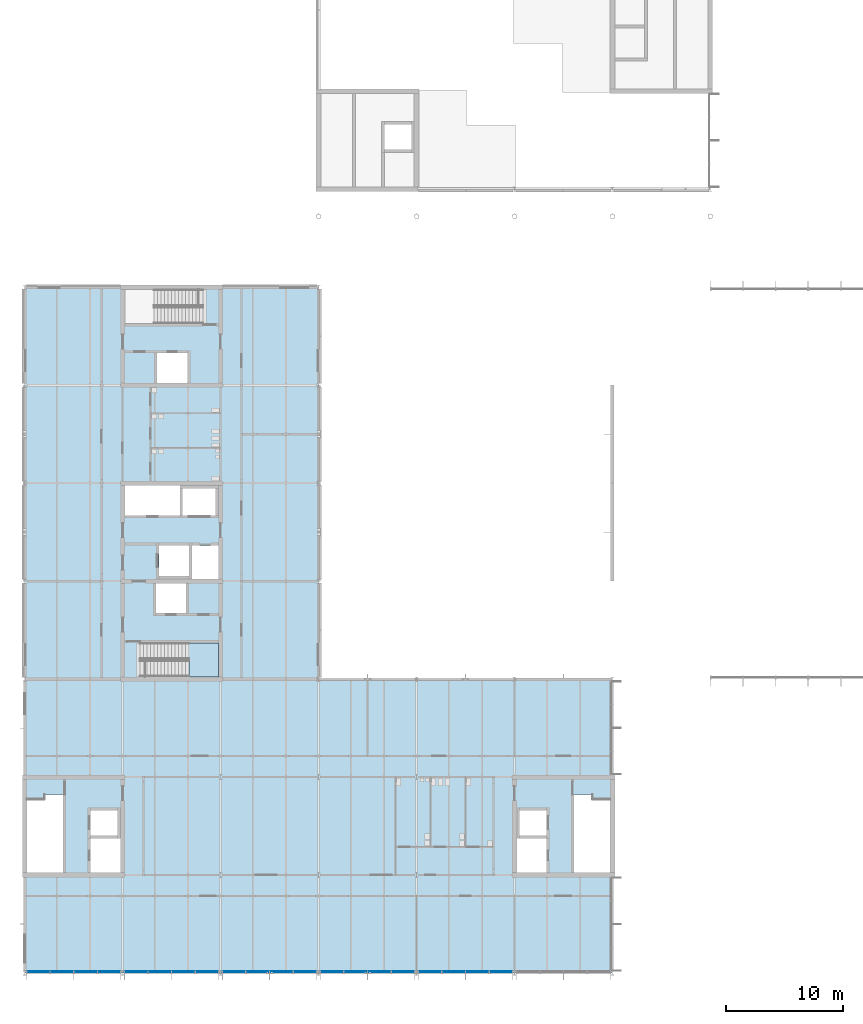
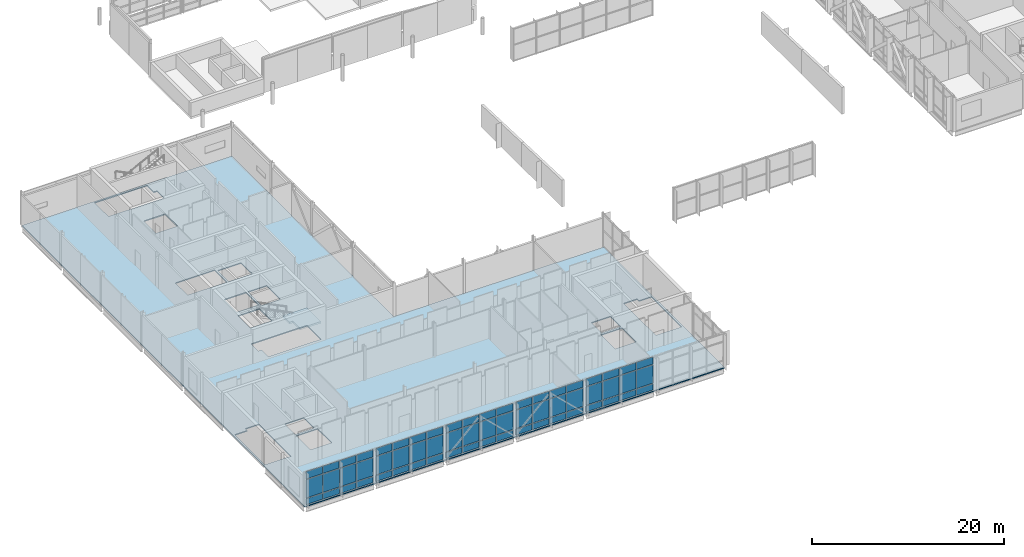
# One storey, part 31 of 72: 60 plates, 2 slabs, 6 elements without a shape of their own.
"""IFC4 building model written with IfcOpenShell, lengths in metres."""

from ifc_helpers import new_model, si_unit, direction, frame, origin, origin_2d, place, context, subcontext, project, spatial, polyline, rectangle, outline, extrude, material, layer, layer_set, type_object, element, aggregate, save


model = new_model("IFC4")

# Units and contexts
model_context = context("Model", 3, precision=1e-05, world=origin(), true_north=direction((0.0, 1.0)))
body_context = subcontext(model_context, "Body", "Model", "MODEL_VIEW")
ifc_project = project(units=[si_unit("LENGTHUNIT", "METRE"), si_unit("AREAUNIT", "SQUARE_METRE"), si_unit("VOLUMEUNIT", "CUBIC_METRE"), si_unit("PLANEANGLEUNIT", "RADIAN"), si_unit("MASSUNIT", "GRAM", prefix="KILO")], contexts=[model_context])

# Site, building, storey
site_placement = place(None, origin())
site = spatial("IfcSite", under=ifc_project, at=site_placement, CompositionType="ELEMENT")
building_placement = place(site_placement, origin())
building = spatial("IfcBuilding", under=site, at=building_placement, Name="Hlaing Beacon Police Headquarters", CompositionType="ELEMENT")
storey_placement = place(building_placement, frame((0.0, 0.0, 14.39990234375)))
storey = spatial("IfcBuildingStorey", under=building, at=storey_placement, Name="L03", CompositionType="ELEMENT", Elevation=14.39990234375)

# Curtain wall, plates
ifc_material_1 = material(Name="Aluminium frame with solar control glazing", Category="aluminium")
curtain_wall_type_1 = type_object("IfcCurtainWallType", Name="Unitised curtain wall 8.12 x 4.37", PredefinedType="NOTDEFINED", material=ifc_material_1)
curtain_wall_1_placement = place(storey_placement, origin())
curtain_wall_1 = element("IfcCurtainWall", 1, at=curtain_wall_1_placement, inside=storey, type_object=curtain_wall_type_1, Name="ENV-CW-L03-S015", PredefinedType="NOTDEFINED")
ifc_material_2 = material(Name="Solar control glazing", Category="glass")
ifc_layer_1 = layer(ifc_material_2, 0.02392578125)
ifc_layer_set_1 = layer_set([ifc_layer_1], Name="Solar control glazing")
plate_type_1 = type_object("IfcPlateType", Name="Clear glazing panel 24", PredefinedType="CURTAIN_PANEL", material=ifc_layer_set_1)
plate_1_placement = place(storey_placement, frame((9.580322265625, 8.5, 3.35009765625), z_axis=(0.0, 0.0, 1.0), x_axis=(1.0, 0.0, 0.0)))
plate_1 = element("IfcPlate", 2, at=plate_1_placement, type_object=plate_type_1, Name="CW-L03-S015 panel 1.3", PredefinedType="CURTAIN_PANEL", context=body_context, shape_type="SweptSolid", body=[
    extrude(rectangle(XDim=1.940673828125, YDim=0.02392578125, at=origin_2d()), origin(), (0.0, 0.0, 1.0), 0.919921875),
])
plate_2_placement = place(storey_placement, frame((11.59619140625, 8.5, 3.35009765625), z_axis=(0.0, 0.0, 1.0), x_axis=(1.0, 0.0, 0.0)))
plate_2 = element("IfcPlate", 3, at=plate_2_placement, type_object=plate_type_1, Name="CW-L03-S015 panel 2.3", PredefinedType="CURTAIN_PANEL", context=body_context, shape_type="SweptSolid", body=[
    extrude(rectangle(XDim=1.970703125, YDim=0.02392578125, at=origin_2d()), origin(), (0.0, 0.0, 1.0), 0.919921875),
])
plate_3_placement = place(storey_placement, frame((13.626953125, 8.5, 3.35009765625), z_axis=(0.0, 0.0, 1.0), x_axis=(1.0, 0.0, 0.0)))
plate_3 = element("IfcPlate", 4, at=plate_3_placement, type_object=plate_type_1, Name="CW-L03-S015 panel 3.3", PredefinedType="CURTAIN_PANEL", context=body_context, shape_type="SweptSolid", body=[
    extrude(rectangle(XDim=1.970703125, YDim=0.02392578125, at=origin_2d()), origin(), (0.0, 0.0, 1.0), 0.919921875),
])
plate_4_placement = place(storey_placement, frame((15.642578125, 8.5, 3.35009765625), z_axis=(0.0, 0.0, 1.0), x_axis=(1.0, 0.0, 0.0)))
plate_4 = element("IfcPlate", 5, at=plate_4_placement, type_object=plate_type_1, Name="CW-L03-S015 panel 4.3", PredefinedType="CURTAIN_PANEL", context=body_context, shape_type="SweptSolid", body=[
    extrude(rectangle(XDim=1.940673828125, YDim=0.02392578125, at=origin_2d()), origin(), (0.0, 0.0, 1.0), 0.919921875),
])

ifc_material_3 = material(Name="Aluminium frame with solar control glazing", Category="aluminium")
curtain_wall_type_2 = type_object("IfcCurtainWallType", Name="Unitised curtain wall 8.14 x 4.37", PredefinedType="NOTDEFINED", material=ifc_material_3)
curtain_wall_2_placement = place(storey_placement, origin())
curtain_wall_2 = element("IfcCurtainWall", 6, at=curtain_wall_2_placement, inside=storey, type_object=curtain_wall_type_2, Name="ENV-CW-L03-S016", PredefinedType="NOTDEFINED")
plate_5_placement = place(storey_placement, frame((17.960205078125, 8.5, 3.35009765625), z_axis=(0.0, 0.0, 1.0), x_axis=(1.0, 0.0, 0.0)))
plate_5 = element("IfcPlate", 7, at=plate_5_placement, type_object=plate_type_1, Name="CW-L03-S016 panel 1.3", PredefinedType="CURTAIN_PANEL", context=body_context, shape_type="SweptSolid", body=[
    extrude(rectangle(XDim=1.9462890625, YDim=0.02392578125, at=origin_2d()), origin(), (0.0, 0.0, 1.0), 0.919921875),
])
plate_6_placement = place(storey_placement, frame((19.981201171875, 8.5, 3.35009765625), z_axis=(0.0, 0.0, 1.0), x_axis=(1.0, 0.0, 0.0)))
plate_6 = element("IfcPlate", 8, at=plate_6_placement, type_object=plate_type_1, Name="CW-L03-S016 panel 2.3", PredefinedType="CURTAIN_PANEL", context=body_context, shape_type="SweptSolid", body=[
    extrude(rectangle(XDim=1.97607421875, YDim=0.02392578125, at=origin_2d()), origin(), (0.0, 0.0, 1.0), 0.919921875),
])
plate_7_placement = place(storey_placement, frame((22.017333984375, 8.5, 3.35009765625), z_axis=(0.0, 0.0, 1.0), x_axis=(1.0, 0.0, 0.0)))
plate_7 = element("IfcPlate", 9, at=plate_7_placement, type_object=plate_type_1, Name="CW-L03-S016 panel 3.3", PredefinedType="CURTAIN_PANEL", context=body_context, shape_type="SweptSolid", body=[
    extrude(rectangle(XDim=1.97607421875, YDim=0.02392578125, at=origin_2d()), origin(), (0.0, 0.0, 1.0), 0.919921875),
])
plate_8_placement = place(storey_placement, frame((24.03857421875, 8.5, 3.35009765625), z_axis=(0.0, 0.0, 1.0), x_axis=(1.0, 0.0, 0.0)))
plate_8 = element("IfcPlate", 10, at=plate_8_placement, type_object=plate_type_1, Name="CW-L03-S016 panel 4.3", PredefinedType="CURTAIN_PANEL", context=body_context, shape_type="SweptSolid", body=[
    extrude(rectangle(XDim=1.9462890625, YDim=0.02392578125, at=origin_2d()), origin(), (0.0, 0.0, 1.0), 0.919921875),
])

curtain_wall_3_placement = place(storey_placement, origin())
curtain_wall_3 = element("IfcCurtainWall", 11, at=curtain_wall_3_placement, inside=storey, type_object=curtain_wall_type_2, Name="ENV-CW-L03-S017", PredefinedType="NOTDEFINED")
plate_9_placement = place(storey_placement, frame((26.361328125, 8.5, 3.35009765625), z_axis=(0.0, 0.0, 1.0), x_axis=(1.0, 0.0, 0.0)))
plate_9 = element("IfcPlate", 12, at=plate_9_placement, type_object=plate_type_1, Name="CW-L03-S017 panel 1.3", PredefinedType="CURTAIN_PANEL", context=body_context, shape_type="SweptSolid", body=[
    extrude(rectangle(XDim=1.94580078125, YDim=0.02392578125, at=origin_2d()), origin(), (0.0, 0.0, 1.0), 0.919921875),
])
plate_10_placement = place(storey_placement, frame((28.382080078125, 8.5, 3.35009765625), z_axis=(0.0, 0.0, 1.0), x_axis=(1.0, 0.0, 0.0)))
plate_10 = element("IfcPlate", 13, at=plate_10_placement, type_object=plate_type_1, Name="CW-L03-S017 panel 2.3", PredefinedType="CURTAIN_PANEL", context=body_context, shape_type="SweptSolid", body=[
    extrude(rectangle(XDim=1.975830078125, YDim=0.02392578125, at=origin_2d()), origin(), (0.0, 0.0, 1.0), 0.919921875),
])
plate_11_placement = place(storey_placement, frame((30.41796875, 8.5, 3.35009765625), z_axis=(0.0, 0.0, 1.0), x_axis=(1.0, 0.0, 0.0)))
plate_11 = element("IfcPlate", 14, at=plate_11_placement, type_object=plate_type_1, Name="CW-L03-S017 panel 3.3", PredefinedType="CURTAIN_PANEL", context=body_context, shape_type="SweptSolid", body=[
    extrude(rectangle(XDim=1.975830078125, YDim=0.02392578125, at=origin_2d()), origin(), (0.0, 0.0, 1.0), 0.919921875),
])
plate_12_placement = place(storey_placement, frame((32.438720703125, 8.5, 3.35009765625), z_axis=(0.0, 0.0, 1.0), x_axis=(1.0, 0.0, 0.0)))
plate_12 = element("IfcPlate", 15, at=plate_12_placement, type_object=plate_type_1, Name="CW-L03-S017 panel 4.3", PredefinedType="CURTAIN_PANEL", context=body_context, shape_type="SweptSolid", body=[
    extrude(rectangle(XDim=1.94580078125, YDim=0.02392578125, at=origin_2d()), origin(), (0.0, 0.0, 1.0), 0.919921875),
])

curtain_wall_4_placement = place(storey_placement, origin())
curtain_wall_4 = element("IfcCurtainWall", 16, at=curtain_wall_4_placement, inside=storey, type_object=curtain_wall_type_2, Name="ENV-CW-L03-S018", PredefinedType="NOTDEFINED")
plate_13_placement = place(storey_placement, frame((34.76123046875, 8.5, 3.35009765625), z_axis=(0.0, 0.0, 1.0), x_axis=(1.0, 0.0, 0.0)))
plate_13 = element("IfcPlate", 17, at=plate_13_placement, type_object=plate_type_1, Name="CW-L03-S018 panel 1.3", PredefinedType="CURTAIN_PANEL", context=body_context, shape_type="SweptSolid", body=[
    extrude(rectangle(XDim=1.94580078125, YDim=0.02392578125, at=origin_2d()), origin(), (0.0, 0.0, 1.0), 0.919921875),
])
plate_14_placement = place(storey_placement, frame((36.781982421875, 8.5, 3.35009765625), z_axis=(0.0, 0.0, 1.0), x_axis=(1.0, 0.0, 0.0)))
plate_14 = element("IfcPlate", 18, at=plate_14_placement, type_object=plate_type_1, Name="CW-L03-S018 panel 2.3", PredefinedType="CURTAIN_PANEL", context=body_context, shape_type="SweptSolid", body=[
    extrude(rectangle(XDim=1.975830078125, YDim=0.02392578125, at=origin_2d()), origin(), (0.0, 0.0, 1.0), 0.919921875),
])
plate_15_placement = place(storey_placement, frame((38.81787109375, 8.5, 3.35009765625), z_axis=(0.0, 0.0, 1.0), x_axis=(1.0, 0.0, 0.0)))
plate_15 = element("IfcPlate", 19, at=plate_15_placement, type_object=plate_type_1, Name="CW-L03-S018 panel 3.3", PredefinedType="CURTAIN_PANEL", context=body_context, shape_type="SweptSolid", body=[
    extrude(rectangle(XDim=1.975830078125, YDim=0.02392578125, at=origin_2d()), origin(), (0.0, 0.0, 1.0), 0.919921875),
])
plate_16_placement = place(storey_placement, frame((40.8388671875, 8.5, 3.35009765625), z_axis=(0.0, 0.0, 1.0), x_axis=(1.0, 0.0, 0.0)))
plate_16 = element("IfcPlate", 20, at=plate_16_placement, type_object=plate_type_1, Name="CW-L03-S018 panel 4.3", PredefinedType="CURTAIN_PANEL", context=body_context, shape_type="SweptSolid", body=[
    extrude(rectangle(XDim=1.94580078125, YDim=0.02392578125, at=origin_2d()), origin(), (0.0, 0.0, 1.0), 0.919921875),
])

curtain_wall_5_placement = place(storey_placement, origin())
curtain_wall_5 = element("IfcCurtainWall", 21, at=curtain_wall_5_placement, inside=storey, type_object=curtain_wall_type_2, Name="ENV-CW-L03-S019", PredefinedType="NOTDEFINED")
plate_17_placement = place(storey_placement, frame((43.161376953125, 8.5, 3.35009765625), z_axis=(0.0, 0.0, 1.0), x_axis=(1.0, 0.0, 0.0)))
plate_17 = element("IfcPlate", 22, at=plate_17_placement, type_object=plate_type_1, Name="CW-L03-S019 panel 1.3", PredefinedType="CURTAIN_PANEL", context=body_context, shape_type="SweptSolid", body=[
    extrude(rectangle(XDim=1.9462890625, YDim=0.02392578125, at=origin_2d()), origin(), (0.0, 0.0, 1.0), 0.919921875),
])
plate_18_placement = place(storey_placement, frame((45.1826171875, 8.5, 3.35009765625), z_axis=(0.0, 0.0, 1.0), x_axis=(1.0, 0.0, 0.0)))
plate_18 = element("IfcPlate", 23, at=plate_18_placement, type_object=plate_type_1, Name="CW-L03-S019 panel 2.3", PredefinedType="CURTAIN_PANEL", context=body_context, shape_type="SweptSolid", body=[
    extrude(rectangle(XDim=1.97607421875, YDim=0.02392578125, at=origin_2d()), origin(), (0.0, 0.0, 1.0), 0.919921875),
])
plate_19_placement = place(storey_placement, frame((47.21875, 8.5, 3.35009765625), z_axis=(0.0, 0.0, 1.0), x_axis=(1.0, 0.0, 0.0)))
plate_19 = element("IfcPlate", 24, at=plate_19_placement, type_object=plate_type_1, Name="CW-L03-S019 panel 3.3", PredefinedType="CURTAIN_PANEL", context=body_context, shape_type="SweptSolid", body=[
    extrude(rectangle(XDim=1.97607421875, YDim=0.02392578125, at=origin_2d()), origin(), (0.0, 0.0, 1.0), 0.919921875),
])
plate_20_placement = place(storey_placement, frame((49.239990234375, 8.5, 3.35009765625), z_axis=(0.0, 0.0, 1.0), x_axis=(1.0, 0.0, 0.0)))
plate_20 = element("IfcPlate", 25, at=plate_20_placement, type_object=plate_type_1, Name="CW-L03-S019 panel 4.3", PredefinedType="CURTAIN_PANEL", context=body_context, shape_type="SweptSolid", body=[
    extrude(rectangle(XDim=1.9462890625, YDim=0.02392578125, at=origin_2d()), origin(), (0.0, 0.0, 1.0), 0.919921875),
])

# Plate
ifc_material_4 = material(Name="Solar control glazing", Category="glass")
ifc_layer_2 = layer(ifc_material_4, 0.0439453125)
ifc_layer_set_2 = layer_set([ifc_layer_2], Name="Solar control glazing")
plate_type_2 = type_object("IfcPlateType", Name="Clear glazing panel 44", PredefinedType="CURTAIN_PANEL", material=ifc_layer_set_2)
plate_21_placement = place(storey_placement, frame((9.580322265625, 8.5, 0.9501953125), z_axis=(0.0, 0.0, 1.0), x_axis=(1.0, 0.0, 0.0)))
plate_21 = element("IfcPlate", 26, at=plate_21_placement, type_object=plate_type_2, Name="CW-L03-S015 panel 1.2", PredefinedType="CURTAIN_PANEL", context=body_context, shape_type="SweptSolid", body=[
    extrude(rectangle(XDim=1.940673828125, YDim=0.0439453125, at=origin_2d()), origin(), (0.0, 0.0, 1.0), 2.300048828125),
])

plate_22_placement = place(storey_placement, frame((11.59619140625, 8.5, 0.9501953125), z_axis=(0.0, 0.0, 1.0), x_axis=(1.0, 0.0, 0.0)))
plate_22 = element("IfcPlate", 27, at=plate_22_placement, type_object=plate_type_2, Name="CW-L03-S015 panel 2.2", PredefinedType="CURTAIN_PANEL", context=body_context, shape_type="SweptSolid", body=[
    extrude(rectangle(XDim=1.970703125, YDim=0.0439453125, at=origin_2d()), origin(), (0.0, 0.0, 1.0), 2.300048828125),
])

plate_23_placement = place(storey_placement, frame((13.626953125, 8.5, 0.9501953125), z_axis=(0.0, 0.0, 1.0), x_axis=(1.0, 0.0, 0.0)))
plate_23 = element("IfcPlate", 28, at=plate_23_placement, type_object=plate_type_2, Name="CW-L03-S015 panel 3.2", PredefinedType="CURTAIN_PANEL", context=body_context, shape_type="SweptSolid", body=[
    extrude(rectangle(XDim=1.970703125, YDim=0.0439453125, at=origin_2d()), origin(), (0.0, 0.0, 1.0), 2.300048828125),
])

plate_24_placement = place(storey_placement, frame((15.642578125, 8.5, 0.9501953125), z_axis=(0.0, 0.0, 1.0), x_axis=(1.0, 0.0, 0.0)))
plate_24 = element("IfcPlate", 29, at=plate_24_placement, type_object=plate_type_2, Name="CW-L03-S015 panel 4.2", PredefinedType="CURTAIN_PANEL", context=body_context, shape_type="SweptSolid", body=[
    extrude(rectangle(XDim=1.940673828125, YDim=0.0439453125, at=origin_2d()), origin(), (0.0, 0.0, 1.0), 2.300048828125),
])

plate_25_placement = place(storey_placement, frame((17.960205078125, 8.5, 0.9501953125), z_axis=(0.0, 0.0, 1.0), x_axis=(1.0, 0.0, 0.0)))
plate_25 = element("IfcPlate", 30, at=plate_25_placement, type_object=plate_type_2, Name="CW-L03-S016 panel 1.2", PredefinedType="CURTAIN_PANEL", context=body_context, shape_type="SweptSolid", body=[
    extrude(rectangle(XDim=1.9462890625, YDim=0.0439453125, at=origin_2d()), origin(), (0.0, 0.0, 1.0), 2.300048828125),
])

plate_26_placement = place(storey_placement, frame((19.981201171875, 8.5, 0.9501953125), z_axis=(0.0, 0.0, 1.0), x_axis=(1.0, 0.0, 0.0)))
plate_26 = element("IfcPlate", 31, at=plate_26_placement, type_object=plate_type_2, Name="CW-L03-S016 panel 2.2", PredefinedType="CURTAIN_PANEL", context=body_context, shape_type="SweptSolid", body=[
    extrude(rectangle(XDim=1.97607421875, YDim=0.0439453125, at=origin_2d()), origin(), (0.0, 0.0, 1.0), 2.300048828125),
])

plate_27_placement = place(storey_placement, frame((22.017333984375, 8.5, 0.9501953125), z_axis=(0.0, 0.0, 1.0), x_axis=(1.0, 0.0, 0.0)))
plate_27 = element("IfcPlate", 32, at=plate_27_placement, type_object=plate_type_2, Name="CW-L03-S016 panel 3.2", PredefinedType="CURTAIN_PANEL", context=body_context, shape_type="SweptSolid", body=[
    extrude(rectangle(XDim=1.97607421875, YDim=0.0439453125, at=origin_2d()), origin(), (0.0, 0.0, 1.0), 2.300048828125),
])

plate_28_placement = place(storey_placement, frame((24.03857421875, 8.5, 0.9501953125), z_axis=(0.0, 0.0, 1.0), x_axis=(1.0, 0.0, 0.0)))
plate_28 = element("IfcPlate", 33, at=plate_28_placement, type_object=plate_type_2, Name="CW-L03-S016 panel 4.2", PredefinedType="CURTAIN_PANEL", context=body_context, shape_type="SweptSolid", body=[
    extrude(rectangle(XDim=1.9462890625, YDim=0.0439453125, at=origin_2d()), origin(), (0.0, 0.0, 1.0), 2.300048828125),
])

plate_29_placement = place(storey_placement, frame((26.361328125, 8.5, 0.9501953125), z_axis=(0.0, 0.0, 1.0), x_axis=(1.0, 0.0, 0.0)))
plate_29 = element("IfcPlate", 34, at=plate_29_placement, type_object=plate_type_2, Name="CW-L03-S017 panel 1.2", PredefinedType="CURTAIN_PANEL", context=body_context, shape_type="SweptSolid", body=[
    extrude(rectangle(XDim=1.94580078125, YDim=0.0439453125, at=origin_2d()), origin(), (0.0, 0.0, 1.0), 2.300048828125),
])

plate_30_placement = place(storey_placement, frame((28.382080078125, 8.5, 0.9501953125), z_axis=(0.0, 0.0, 1.0), x_axis=(1.0, 0.0, 0.0)))
plate_30 = element("IfcPlate", 35, at=plate_30_placement, type_object=plate_type_2, Name="CW-L03-S017 panel 2.2", PredefinedType="CURTAIN_PANEL", context=body_context, shape_type="SweptSolid", body=[
    extrude(rectangle(XDim=1.975830078125, YDim=0.0439453125, at=origin_2d()), origin(), (0.0, 0.0, 1.0), 2.300048828125),
])

plate_31_placement = place(storey_placement, frame((30.41796875, 8.5, 0.9501953125), z_axis=(0.0, 0.0, 1.0), x_axis=(1.0, 0.0, 0.0)))
plate_31 = element("IfcPlate", 36, at=plate_31_placement, type_object=plate_type_2, Name="CW-L03-S017 panel 3.2", PredefinedType="CURTAIN_PANEL", context=body_context, shape_type="SweptSolid", body=[
    extrude(rectangle(XDim=1.975830078125, YDim=0.0439453125, at=origin_2d()), origin(), (0.0, 0.0, 1.0), 2.300048828125),
])

plate_32_placement = place(storey_placement, frame((32.438720703125, 8.5, 0.9501953125), z_axis=(0.0, 0.0, 1.0), x_axis=(1.0, 0.0, 0.0)))
plate_32 = element("IfcPlate", 37, at=plate_32_placement, type_object=plate_type_2, Name="CW-L03-S017 panel 4.2", PredefinedType="CURTAIN_PANEL", context=body_context, shape_type="SweptSolid", body=[
    extrude(rectangle(XDim=1.94580078125, YDim=0.0439453125, at=origin_2d()), origin(), (0.0, 0.0, 1.0), 2.300048828125),
])

plate_33_placement = place(storey_placement, frame((34.76123046875, 8.5, 0.9501953125), z_axis=(0.0, 0.0, 1.0), x_axis=(1.0, 0.0, 0.0)))
plate_33 = element("IfcPlate", 38, at=plate_33_placement, type_object=plate_type_2, Name="CW-L03-S018 panel 1.2", PredefinedType="CURTAIN_PANEL", context=body_context, shape_type="SweptSolid", body=[
    extrude(rectangle(XDim=1.94580078125, YDim=0.0439453125, at=origin_2d()), origin(), (0.0, 0.0, 1.0), 2.300048828125),
])

plate_34_placement = place(storey_placement, frame((36.781982421875, 8.5, 0.9501953125), z_axis=(0.0, 0.0, 1.0), x_axis=(1.0, 0.0, 0.0)))
plate_34 = element("IfcPlate", 39, at=plate_34_placement, type_object=plate_type_2, Name="CW-L03-S018 panel 2.2", PredefinedType="CURTAIN_PANEL", context=body_context, shape_type="SweptSolid", body=[
    extrude(rectangle(XDim=1.975830078125, YDim=0.0439453125, at=origin_2d()), origin(), (0.0, 0.0, 1.0), 2.300048828125),
])

plate_35_placement = place(storey_placement, frame((38.81787109375, 8.5, 0.9501953125), z_axis=(0.0, 0.0, 1.0), x_axis=(1.0, 0.0, 0.0)))
plate_35 = element("IfcPlate", 40, at=plate_35_placement, type_object=plate_type_2, Name="CW-L03-S018 panel 3.2", PredefinedType="CURTAIN_PANEL", context=body_context, shape_type="SweptSolid", body=[
    extrude(rectangle(XDim=1.975830078125, YDim=0.0439453125, at=origin_2d()), origin(), (0.0, 0.0, 1.0), 2.300048828125),
])

plate_36_placement = place(storey_placement, frame((40.8388671875, 8.5, 0.9501953125), z_axis=(0.0, 0.0, 1.0), x_axis=(1.0, 0.0, 0.0)))
plate_36 = element("IfcPlate", 41, at=plate_36_placement, type_object=plate_type_2, Name="CW-L03-S018 panel 4.2", PredefinedType="CURTAIN_PANEL", context=body_context, shape_type="SweptSolid", body=[
    extrude(rectangle(XDim=1.94580078125, YDim=0.0439453125, at=origin_2d()), origin(), (0.0, 0.0, 1.0), 2.300048828125),
])

plate_37_placement = place(storey_placement, frame((43.161376953125, 8.5, 0.9501953125), z_axis=(0.0, 0.0, 1.0), x_axis=(1.0, 0.0, 0.0)))
plate_37 = element("IfcPlate", 42, at=plate_37_placement, type_object=plate_type_2, Name="CW-L03-S019 panel 1.2", PredefinedType="CURTAIN_PANEL", context=body_context, shape_type="SweptSolid", body=[
    extrude(rectangle(XDim=1.9462890625, YDim=0.0439453125, at=origin_2d()), origin(), (0.0, 0.0, 1.0), 2.300048828125),
])

plate_38_placement = place(storey_placement, frame((45.1826171875, 8.5, 0.9501953125), z_axis=(0.0, 0.0, 1.0), x_axis=(1.0, 0.0, 0.0)))
plate_38 = element("IfcPlate", 43, at=plate_38_placement, type_object=plate_type_2, Name="CW-L03-S019 panel 2.2", PredefinedType="CURTAIN_PANEL", context=body_context, shape_type="SweptSolid", body=[
    extrude(rectangle(XDim=1.97607421875, YDim=0.0439453125, at=origin_2d()), origin(), (0.0, 0.0, 1.0), 2.300048828125),
])

plate_39_placement = place(storey_placement, frame((47.21875, 8.5, 0.9501953125), z_axis=(0.0, 0.0, 1.0), x_axis=(1.0, 0.0, 0.0)))
plate_39 = element("IfcPlate", 44, at=plate_39_placement, type_object=plate_type_2, Name="CW-L03-S019 panel 3.2", PredefinedType="CURTAIN_PANEL", context=body_context, shape_type="SweptSolid", body=[
    extrude(rectangle(XDim=1.97607421875, YDim=0.0439453125, at=origin_2d()), origin(), (0.0, 0.0, 1.0), 2.300048828125),
])

plate_40_placement = place(storey_placement, frame((49.239990234375, 8.5, 0.9501953125), z_axis=(0.0, 0.0, 1.0), x_axis=(1.0, 0.0, 0.0)))
plate_40 = element("IfcPlate", 45, at=plate_40_placement, type_object=plate_type_2, Name="CW-L03-S019 panel 4.2", PredefinedType="CURTAIN_PANEL", context=body_context, shape_type="SweptSolid", body=[
    extrude(rectangle(XDim=1.9462890625, YDim=0.0439453125, at=origin_2d()), origin(), (0.0, 0.0, 1.0), 2.300048828125),
])

# Slab
ifc_material_5 = material(Name="Concrete C40/50", Category="concrete")
ifc_layer_3 = layer(ifc_material_5, 0.1298828125)
ifc_layer_set_3 = layer_set([ifc_layer_3], Name="Concrete C40/50")
slab_type_1 = type_object("IfcSlabType", Name="Composite deck slab 130", PredefinedType="FLOOR", material=ifc_layer_set_3)
slab_1_placement = place(storey_placement, frame((0.0, 0.0, -0.1298828125)))
element("IfcSlab", 46, at=slab_1_placement, inside=storey, type_object=slab_type_1, Name="STR-SLAB-L03-01", PredefinedType="FLOOR", context=body_context, shape_type="SweptSolid", body=[
    extrude(outline(polyline([(8.39990234375, 8.39990234375), (58.800048828125, 8.39990234375), (58.800048828125, 33.60009765625), (33.60009765625, 33.60009765625), (33.60009765625, 67.199951171875), (8.39990234375, 67.199951171875), (8.39990234375, 8.39990234375)]), holes=[polyline([(8.60009765625, 17.0), (11.699951171875, 17.0), (11.699951171875, 23.68994140625), (10.10009765625, 23.68994140625), (10.10009765625, 23.300048828125), (8.60009765625, 23.300048828125), (8.60009765625, 17.0)]), polyline([(14.050048828125, 17.0), (16.60009765625, 17.0), (16.60009765625, 19.949951171875), (14.050048828125, 19.949951171875), (14.050048828125, 17.0)]), polyline([(14.050048828125, 20.199951171875), (16.35009765625, 20.199951171875), (16.35009765625, 22.35009765625), (14.050048828125, 22.35009765625), (14.050048828125, 20.199951171875)]), polyline([(17.0, 47.64990234375), (21.699951171875, 47.64990234375), (21.699951171875, 50.199951171875), (17.0, 50.199951171875), (17.0, 47.64990234375)]), polyline([(17.0, 64.10009765625), (23.68994140625, 64.10009765625), (23.68994140625, 65.60009765625), (23.300048828125, 65.60009765625), (23.300048828125, 67.0), (17.0, 67.0), (17.0, 64.10009765625)]), polyline([(18.699951171875, 33.800048828125), (25.0, 33.800048828125), (25.0, 36.699951171875), (18.31005859375, 36.699951171875), (18.31005859375, 35.199951171875), (18.699951171875, 35.199951171875), (18.699951171875, 33.800048828125)]), polyline([(19.64990234375, 39.25), (22.25, 39.25), (22.25, 41.800048828125), (19.64990234375, 41.800048828125), (19.64990234375, 39.25)]), polyline([(19.75, 59.0), (22.35009765625, 59.0), (22.35009765625, 61.550048828125), (19.75, 61.550048828125), (19.75, 59.0)]), polyline([(19.89990234375, 42.449951171875), (22.5, 42.449951171875), (22.5, 45.050048828125), (19.89990234375, 45.050048828125), (19.89990234375, 42.449951171875)]), polyline([(21.949951171875, 47.64990234375), (24.75, 47.64990234375), (24.75, 49.949951171875), (21.949951171875, 49.949951171875), (21.949951171875, 47.64990234375)]), polyline([(22.75, 42.199951171875), (25.0, 42.199951171875), (25.0, 45.050048828125), (22.75, 45.050048828125), (22.75, 42.199951171875)]), polyline([(50.60009765625, 17.0), (53.14990234375, 17.0), (53.14990234375, 19.949951171875), (50.60009765625, 19.949951171875), (50.60009765625, 17.0)]), polyline([(50.85009765625, 20.199951171875), (53.14990234375, 20.199951171875), (53.14990234375, 22.35009765625), (50.85009765625, 22.35009765625), (50.85009765625, 20.199951171875)]), polyline([(55.5, 17.0), (58.60009765625, 17.0), (58.60009765625, 23.300048828125), (57.10009765625, 23.300048828125), (57.10009765625, 23.68994140625), (55.5, 23.68994140625), (55.5, 17.0)])]), origin(), (0.0, 0.0, 1.0), 0.1298828125),
])

# Stair, slab
ifc_material_6 = material(Name="Concrete C40/50", Category="concrete")
stair_type = type_object("IfcStairType", Name="Half-turn stair 1400 wide, 4500 rise", PredefinedType="HALF_TURN_STAIR", material=ifc_material_6)
stair_placement = place(storey_placement, origin())
stair = element("IfcStair", 47, at=stair_placement, inside=storey, type_object=stair_type, Name="Stair ST-N", PredefinedType="HALF_TURN_STAIR")
ifc_material_7 = material(Name="Concrete C40/50", Category="concrete")
ifc_layer_4 = layer(ifc_material_7, 0.219970703125)
ifc_layer_set_4 = layer_set([ifc_layer_4], Name="Concrete C40/50")
slab_type_2 = type_object("IfcSlabType", Name="Stair landing 220", PredefinedType="LANDING", material=ifc_layer_set_4)
slab_2_placement = place(storey_placement, frame((0.0, 0.0, 2.030029296875)))
slab_2 = element("IfcSlab", 48, at=slab_2_placement, type_object=slab_type_2, Name="ST-N landing 1", PredefinedType="LANDING", context=body_context, shape_type="SweptSolid", body=[
    extrude(outline(polyline([(22.489990234375, 33.800048828125), (25.0, 33.800048828125), (25.0, 36.699951171875), (22.10009765625, 36.699951171875), (22.10009765625, 35.300048828125), (22.489990234375, 35.300048828125), (22.489990234375, 33.800048828125)])), origin(), (0.0, 0.0, 1.0), 0.219970703125),
])
aggregate(stair, [slab_2])

# Plate
ifc_material_8 = material(Name="Terracotta ribbed cladding", Category="masonry")
ifc_layer_5 = layer(ifc_material_8, 0.06005859375)
ifc_layer_set_5 = layer_set([ifc_layer_5], Name="Terracotta ribbed cladding")
plate_type_3 = type_object("IfcPlateType", Name="Terracotta ribbed spandrel panel 60", PredefinedType="CURTAIN_PANEL", material=ifc_layer_set_5)
plate_41_placement = place(storey_placement, frame((9.580322265625, 8.5, 0.10009765625), z_axis=(0.0, 0.0, 1.0), x_axis=(1.0, 0.0, 0.0)))
plate_41 = element("IfcPlate", 49, at=plate_41_placement, type_object=plate_type_3, Name="CW-L03-S015 panel 1.1", PredefinedType="CURTAIN_PANEL", context=body_context, shape_type="SweptSolid", body=[
    extrude(rectangle(XDim=1.940673828125, YDim=0.06005859375, at=origin_2d()), origin(), (0.0, 0.0, 1.0), 0.75),
])

plate_42_placement = place(storey_placement, frame((11.59619140625, 8.5, 0.10009765625), z_axis=(0.0, 0.0, 1.0), x_axis=(1.0, 0.0, 0.0)))
plate_42 = element("IfcPlate", 50, at=plate_42_placement, type_object=plate_type_3, Name="CW-L03-S015 panel 2.1", PredefinedType="CURTAIN_PANEL", context=body_context, shape_type="SweptSolid", body=[
    extrude(rectangle(XDim=1.970703125, YDim=0.06005859375, at=origin_2d()), origin(), (0.0, 0.0, 1.0), 0.75),
])

plate_43_placement = place(storey_placement, frame((13.626953125, 8.5, 0.10009765625), z_axis=(0.0, 0.0, 1.0), x_axis=(1.0, 0.0, 0.0)))
plate_43 = element("IfcPlate", 51, at=plate_43_placement, type_object=plate_type_3, Name="CW-L03-S015 panel 3.1", PredefinedType="CURTAIN_PANEL", context=body_context, shape_type="SweptSolid", body=[
    extrude(rectangle(XDim=1.970703125, YDim=0.06005859375, at=origin_2d()), origin(), (0.0, 0.0, 1.0), 0.75),
])

plate_44_placement = place(storey_placement, frame((15.642578125, 8.5, 0.10009765625), z_axis=(0.0, 0.0, 1.0), x_axis=(1.0, 0.0, 0.0)))
plate_44 = element("IfcPlate", 52, at=plate_44_placement, type_object=plate_type_3, Name="CW-L03-S015 panel 4.1", PredefinedType="CURTAIN_PANEL", context=body_context, shape_type="SweptSolid", body=[
    extrude(rectangle(XDim=1.940673828125, YDim=0.06005859375, at=origin_2d()), origin(), (0.0, 0.0, 1.0), 0.75),
])

aggregate(curtain_wall_1, [plate_41, plate_21, plate_1, plate_42, plate_22, plate_2, plate_43, plate_23, plate_3, plate_44, plate_24, plate_4])

plate_45_placement = place(storey_placement, frame((17.960205078125, 8.5, 0.10009765625), z_axis=(0.0, 0.0, 1.0), x_axis=(1.0, 0.0, 0.0)))
plate_45 = element("IfcPlate", 53, at=plate_45_placement, type_object=plate_type_3, Name="CW-L03-S016 panel 1.1", PredefinedType="CURTAIN_PANEL", context=body_context, shape_type="SweptSolid", body=[
    extrude(rectangle(XDim=1.9462890625, YDim=0.06005859375, at=origin_2d()), origin(), (0.0, 0.0, 1.0), 0.75),
])

plate_46_placement = place(storey_placement, frame((19.981201171875, 8.5, 0.10009765625), z_axis=(0.0, 0.0, 1.0), x_axis=(1.0, 0.0, 0.0)))
plate_46 = element("IfcPlate", 54, at=plate_46_placement, type_object=plate_type_3, Name="CW-L03-S016 panel 2.1", PredefinedType="CURTAIN_PANEL", context=body_context, shape_type="SweptSolid", body=[
    extrude(rectangle(XDim=1.97607421875, YDim=0.06005859375, at=origin_2d()), origin(), (0.0, 0.0, 1.0), 0.75),
])

plate_47_placement = place(storey_placement, frame((22.017333984375, 8.5, 0.10009765625), z_axis=(0.0, 0.0, 1.0), x_axis=(1.0, 0.0, 0.0)))
plate_47 = element("IfcPlate", 55, at=plate_47_placement, type_object=plate_type_3, Name="CW-L03-S016 panel 3.1", PredefinedType="CURTAIN_PANEL", context=body_context, shape_type="SweptSolid", body=[
    extrude(rectangle(XDim=1.97607421875, YDim=0.06005859375, at=origin_2d()), origin(), (0.0, 0.0, 1.0), 0.75),
])

plate_48_placement = place(storey_placement, frame((24.03857421875, 8.5, 0.10009765625), z_axis=(0.0, 0.0, 1.0), x_axis=(1.0, 0.0, 0.0)))
plate_48 = element("IfcPlate", 56, at=plate_48_placement, type_object=plate_type_3, Name="CW-L03-S016 panel 4.1", PredefinedType="CURTAIN_PANEL", context=body_context, shape_type="SweptSolid", body=[
    extrude(rectangle(XDim=1.9462890625, YDim=0.06005859375, at=origin_2d()), origin(), (0.0, 0.0, 1.0), 0.75),
])

aggregate(curtain_wall_2, [plate_45, plate_25, plate_5, plate_46, plate_26, plate_6, plate_47, plate_27, plate_7, plate_48, plate_28, plate_8])

plate_49_placement = place(storey_placement, frame((26.361328125, 8.5, 0.10009765625), z_axis=(0.0, 0.0, 1.0), x_axis=(1.0, 0.0, 0.0)))
plate_49 = element("IfcPlate", 57, at=plate_49_placement, type_object=plate_type_3, Name="CW-L03-S017 panel 1.1", PredefinedType="CURTAIN_PANEL", context=body_context, shape_type="SweptSolid", body=[
    extrude(rectangle(XDim=1.94580078125, YDim=0.06005859375, at=origin_2d()), origin(), (0.0, 0.0, 1.0), 0.75),
])

plate_50_placement = place(storey_placement, frame((28.382080078125, 8.5, 0.10009765625), z_axis=(0.0, 0.0, 1.0), x_axis=(1.0, 0.0, 0.0)))
plate_50 = element("IfcPlate", 58, at=plate_50_placement, type_object=plate_type_3, Name="CW-L03-S017 panel 2.1", PredefinedType="CURTAIN_PANEL", context=body_context, shape_type="SweptSolid", body=[
    extrude(rectangle(XDim=1.975830078125, YDim=0.06005859375, at=origin_2d()), origin(), (0.0, 0.0, 1.0), 0.75),
])

plate_51_placement = place(storey_placement, frame((30.41796875, 8.5, 0.10009765625), z_axis=(0.0, 0.0, 1.0), x_axis=(1.0, 0.0, 0.0)))
plate_51 = element("IfcPlate", 59, at=plate_51_placement, type_object=plate_type_3, Name="CW-L03-S017 panel 3.1", PredefinedType="CURTAIN_PANEL", context=body_context, shape_type="SweptSolid", body=[
    extrude(rectangle(XDim=1.975830078125, YDim=0.06005859375, at=origin_2d()), origin(), (0.0, 0.0, 1.0), 0.75),
])

plate_52_placement = place(storey_placement, frame((32.438720703125, 8.5, 0.10009765625), z_axis=(0.0, 0.0, 1.0), x_axis=(1.0, 0.0, 0.0)))
plate_52 = element("IfcPlate", 60, at=plate_52_placement, type_object=plate_type_3, Name="CW-L03-S017 panel 4.1", PredefinedType="CURTAIN_PANEL", context=body_context, shape_type="SweptSolid", body=[
    extrude(rectangle(XDim=1.94580078125, YDim=0.06005859375, at=origin_2d()), origin(), (0.0, 0.0, 1.0), 0.75),
])

aggregate(curtain_wall_3, [plate_49, plate_29, plate_9, plate_50, plate_30, plate_10, plate_51, plate_31, plate_11, plate_52, plate_32, plate_12])

plate_53_placement = place(storey_placement, frame((34.76123046875, 8.5, 0.10009765625), z_axis=(0.0, 0.0, 1.0), x_axis=(1.0, 0.0, 0.0)))
plate_53 = element("IfcPlate", 61, at=plate_53_placement, type_object=plate_type_3, Name="CW-L03-S018 panel 1.1", PredefinedType="CURTAIN_PANEL", context=body_context, shape_type="SweptSolid", body=[
    extrude(rectangle(XDim=1.94580078125, YDim=0.06005859375, at=origin_2d()), origin(), (0.0, 0.0, 1.0), 0.75),
])

plate_54_placement = place(storey_placement, frame((36.781982421875, 8.5, 0.10009765625), z_axis=(0.0, 0.0, 1.0), x_axis=(1.0, 0.0, 0.0)))
plate_54 = element("IfcPlate", 62, at=plate_54_placement, type_object=plate_type_3, Name="CW-L03-S018 panel 2.1", PredefinedType="CURTAIN_PANEL", context=body_context, shape_type="SweptSolid", body=[
    extrude(rectangle(XDim=1.975830078125, YDim=0.06005859375, at=origin_2d()), origin(), (0.0, 0.0, 1.0), 0.75),
])

plate_55_placement = place(storey_placement, frame((38.81787109375, 8.5, 0.10009765625), z_axis=(0.0, 0.0, 1.0), x_axis=(1.0, 0.0, 0.0)))
plate_55 = element("IfcPlate", 63, at=plate_55_placement, type_object=plate_type_3, Name="CW-L03-S018 panel 3.1", PredefinedType="CURTAIN_PANEL", context=body_context, shape_type="SweptSolid", body=[
    extrude(rectangle(XDim=1.975830078125, YDim=0.06005859375, at=origin_2d()), origin(), (0.0, 0.0, 1.0), 0.75),
])

plate_56_placement = place(storey_placement, frame((40.8388671875, 8.5, 0.10009765625), z_axis=(0.0, 0.0, 1.0), x_axis=(1.0, 0.0, 0.0)))
plate_56 = element("IfcPlate", 64, at=plate_56_placement, type_object=plate_type_3, Name="CW-L03-S018 panel 4.1", PredefinedType="CURTAIN_PANEL", context=body_context, shape_type="SweptSolid", body=[
    extrude(rectangle(XDim=1.94580078125, YDim=0.06005859375, at=origin_2d()), origin(), (0.0, 0.0, 1.0), 0.75),
])

aggregate(curtain_wall_4, [plate_53, plate_33, plate_13, plate_54, plate_34, plate_14, plate_55, plate_35, plate_15, plate_56, plate_36, plate_16])

plate_57_placement = place(storey_placement, frame((43.161376953125, 8.5, 0.10009765625), z_axis=(0.0, 0.0, 1.0), x_axis=(1.0, 0.0, 0.0)))
plate_57 = element("IfcPlate", 65, at=plate_57_placement, type_object=plate_type_3, Name="CW-L03-S019 panel 1.1", PredefinedType="CURTAIN_PANEL", context=body_context, shape_type="SweptSolid", body=[
    extrude(rectangle(XDim=1.9462890625, YDim=0.06005859375, at=origin_2d()), origin(), (0.0, 0.0, 1.0), 0.75),
])

plate_58_placement = place(storey_placement, frame((45.1826171875, 8.5, 0.10009765625), z_axis=(0.0, 0.0, 1.0), x_axis=(1.0, 0.0, 0.0)))
plate_58 = element("IfcPlate", 66, at=plate_58_placement, type_object=plate_type_3, Name="CW-L03-S019 panel 2.1", PredefinedType="CURTAIN_PANEL", context=body_context, shape_type="SweptSolid", body=[
    extrude(rectangle(XDim=1.97607421875, YDim=0.06005859375, at=origin_2d()), origin(), (0.0, 0.0, 1.0), 0.75),
])

plate_59_placement = place(storey_placement, frame((47.21875, 8.5, 0.10009765625), z_axis=(0.0, 0.0, 1.0), x_axis=(1.0, 0.0, 0.0)))
plate_59 = element("IfcPlate", 67, at=plate_59_placement, type_object=plate_type_3, Name="CW-L03-S019 panel 3.1", PredefinedType="CURTAIN_PANEL", context=body_context, shape_type="SweptSolid", body=[
    extrude(rectangle(XDim=1.97607421875, YDim=0.06005859375, at=origin_2d()), origin(), (0.0, 0.0, 1.0), 0.75),
])

plate_60_placement = place(storey_placement, frame((49.239990234375, 8.5, 0.10009765625), z_axis=(0.0, 0.0, 1.0), x_axis=(1.0, 0.0, 0.0)))
plate_60 = element("IfcPlate", 68, at=plate_60_placement, type_object=plate_type_3, Name="CW-L03-S019 panel 4.1", PredefinedType="CURTAIN_PANEL", context=body_context, shape_type="SweptSolid", body=[
    extrude(rectangle(XDim=1.9462890625, YDim=0.06005859375, at=origin_2d()), origin(), (0.0, 0.0, 1.0), 0.75),
])

aggregate(curtain_wall_5, [plate_57, plate_37, plate_17, plate_58, plate_38, plate_18, plate_59, plate_39, plate_19, plate_60, plate_40, plate_20])

save(model, "model.ifc")
